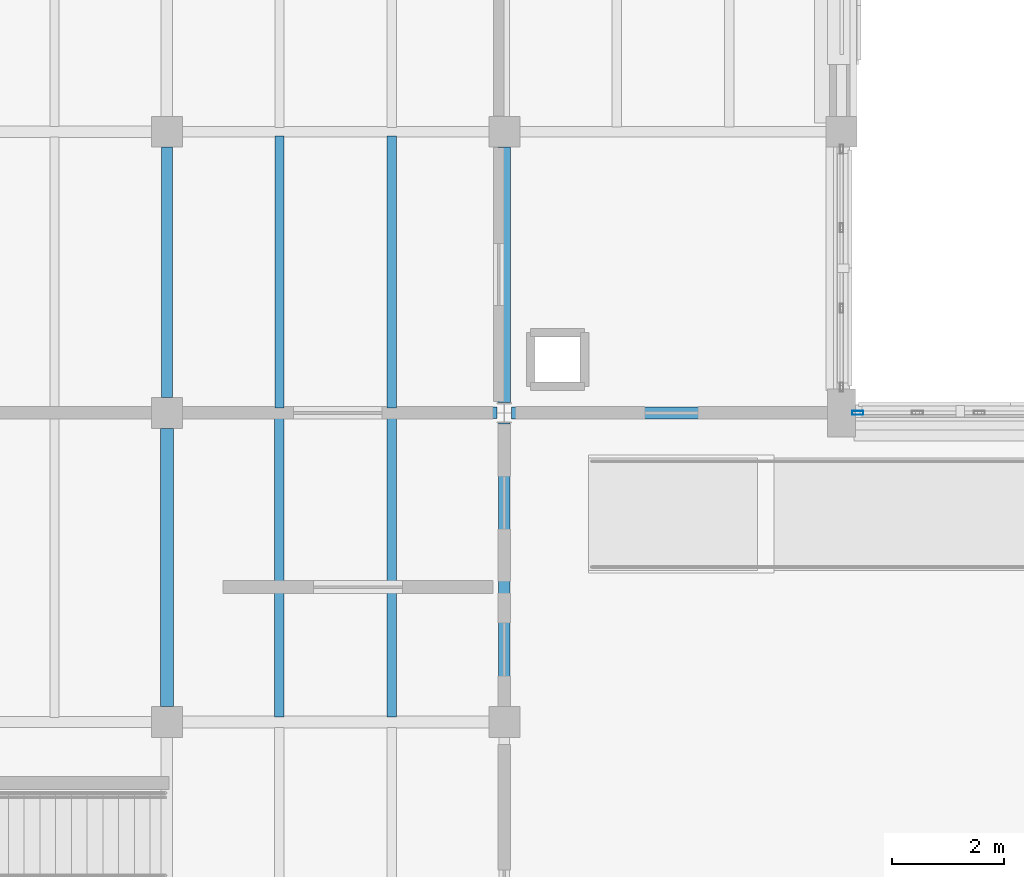
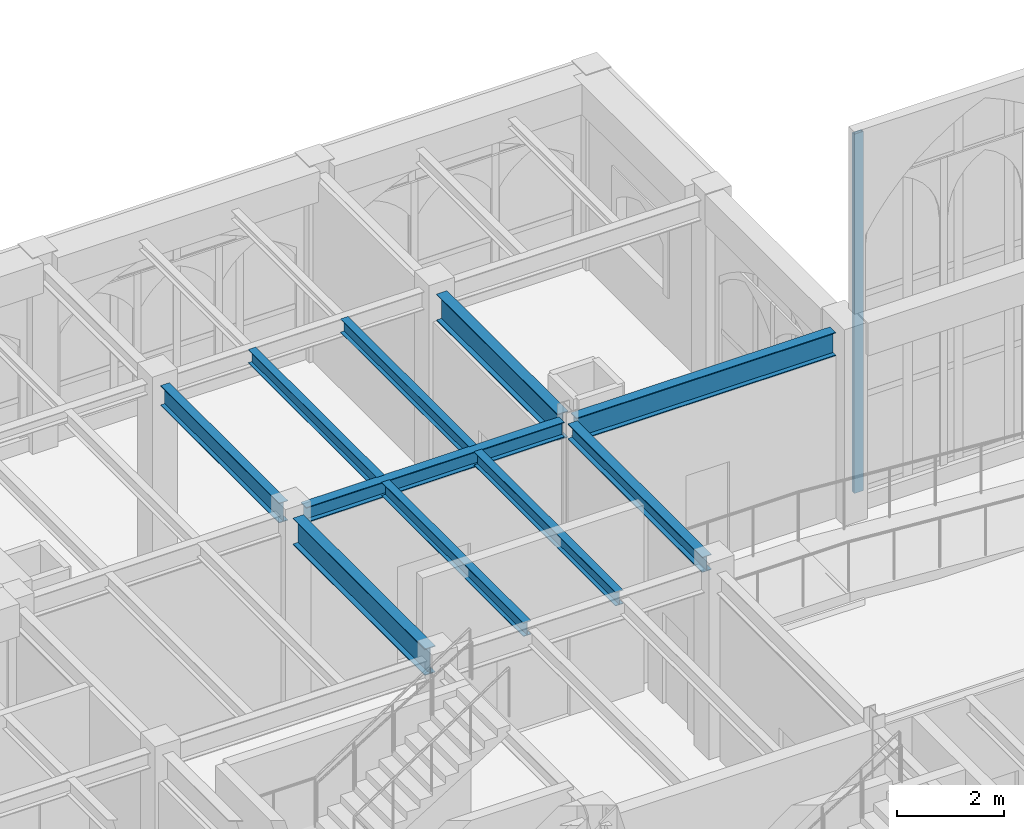
# One storey, part 29 of 108: 10 beams, 1 member, 1 element without a shape of its own.
"""IFC4 building model written with IfcOpenShell, lengths in metres."""

import ifcopenshell
import ifcopenshell.guid

model = None  # the IFC model being written
_history = None  # IfcOwnerHistory: only IFC2X3 demands one
_inside = {}  # id of a spatial element -> (the spatial element, [elements in it])
_under = {}  # id of a project, library or spatial element -> (it, [spatial elements below it])
_declared = {}  # id of a project -> (the project, [libraries it declares])
_typed = {}  # id of a type object -> (the type object, [elements of that type])
_made_of = {}  # id of a material, layer set ... -> (it, [elements and type objects made of it])


def new_model(schema):
    """Start an empty IFC model of exactly this schema.

    Asked for "IFC4X3", IfcOpenShell would pick the latest addendum, in which some entities
    have other attributes; the version numbers below select the first issue.
    IFC2X3 requires an IfcOwnerHistory on every rooted entity: one is made here for all.
    """
    global model, _history
    if schema == "IFC4X3":
        model = ifcopenshell.file(schema_version=(4, 3, 0, 0))
    else:
        model = ifcopenshell.file(schema=schema)
    _inside.clear()
    _under.clear()
    _declared.clear()
    _typed.clear()
    _made_of.clear()
    _history = None
    if model.schema == "IFC2X3":
        org = make("IfcOrganization", Name="unknown")
        user = make(
            "IfcPersonAndOrganization",
            ThePerson=make("IfcPerson", FamilyName="unknown"),
            TheOrganization=org,
        )
        app = make(
            "IfcApplication",
            ApplicationDeveloper=org,
            Version="unknown",
            ApplicationFullName="unknown",
            ApplicationIdentifier="unknown",
        )
        _history = make(
            "IfcOwnerHistory",
            OwningUser=user,
            OwningApplication=app,
            ChangeAction="ADDED",
            CreationDate=0,
        )
    return model


def make(cls, **values):
    """One entity of the class cls with the attributes given. An attribute that is None is left unset."""
    return model.create_entity(
        cls, **{name: value for name, value in values.items() if value is not None}
    )


def rooted(cls, **values):
    """An entity with a GlobalId (a new one), such as an element, a storey or a relation."""
    return make(cls, GlobalId=ifcopenshell.guid.new(), OwnerHistory=_history, **values)


def si_unit(unit_type, name, prefix=None):
    """IfcSIUnit, for example si_unit("LENGTHUNIT", "METRE", prefix="MILLI")."""
    return make("IfcSIUnit", UnitType=unit_type, Prefix=prefix, Name=name)


def assignment(units):
    """IfcUnitAssignment: the units of a project."""
    return None if units is None else make("IfcUnitAssignment", Units=units)


def point(xyz):
    """IfcCartesianPoint."""
    return None if xyz is None else make("IfcCartesianPoint", Coordinates=xyz)


def direction(xyz):
    """IfcDirection."""
    return None if xyz is None else make("IfcDirection", DirectionRatios=xyz)


def frame(location, z_axis=None, x_axis=None):
    """IfcAxis2Placement3D, a coordinate frame: its origin and axes. An axis left out is left unset."""
    return make(
        "IfcAxis2Placement3D",
        Location=point(location),
        Axis=direction(z_axis),
        RefDirection=direction(x_axis),
    )


def frame_2d(location, x_axis=None):
    """IfcAxis2Placement2D, a coordinate frame in the plane: its origin and x axis."""
    return make(
        "IfcAxis2Placement2D", Location=point(location), RefDirection=direction(x_axis)
    )


def origin():
    """The frame at (0, 0, 0) with its axes left unset."""
    return frame((0.0, 0.0, 0.0))


def origin_2d():
    """The frame at (0, 0) in the plane with its x axis left unset."""
    return frame_2d((0.0, 0.0))


def place(relative_to, where):
    """IfcLocalPlacement: puts the frame where relative to a parent placement (None: the world)."""
    return make(
        "IfcLocalPlacement", PlacementRelTo=relative_to, RelativePlacement=where
    )


def context(
    kind, dimensions, precision=None, world=None, true_north=None, identifier=None
):
    """IfcGeometricRepresentationContext, for example the 3D "Model" context."""
    return make(
        "IfcGeometricRepresentationContext",
        ContextIdentifier=identifier,
        ContextType=kind,
        CoordinateSpaceDimension=dimensions,
        Precision=precision,
        WorldCoordinateSystem=world,
        TrueNorth=true_north,
    )


def subcontext(parent, identifier, kind, view, scale=None):
    """IfcGeometricRepresentationSubContext, for example "Body" below "Model"."""
    return make(
        "IfcGeometricRepresentationSubContext",
        ContextIdentifier=identifier,
        ContextType=kind,
        ParentContext=parent,
        TargetScale=scale,
        TargetView=view,
    )


def project(units=None, contexts=None):
    """IfcProject with its units and contexts."""
    return rooted(
        "IfcProject",
        Name="project",
        RepresentationContexts=contexts,
        UnitsInContext=assignment(units),
    )


def spatial(cls, under=None, at=None, **own):
    """A site, building, storey or space (cls), placed at a placement, below another one or the project."""
    s = rooted(cls, ObjectPlacement=at, **own)
    if under is not None:
        _under.setdefault(under.id(), (under, []))[1].append(s)
    return s


def profile(cls, at=None, kind="AREA", **sizes):
    """A parametric profile (cls). Its sizes go by their IFC names, for example OverallWidth=200.0."""
    return make(cls, ProfileType=kind, Position=at, **sizes)


def hollow_rectangle(**sizes):
    """IfcRectangleHollowProfileDef."""
    return profile("IfcRectangleHollowProfileDef", **sizes)


def i_section(**sizes):
    """IfcIShapeProfileDef."""
    return profile("IfcIShapeProfileDef", **sizes)


def extrude(swept, where, along, depth):
    """IfcExtrudedAreaSolid: the profile swept, set in the frame where, extruded along a direction by depth."""
    return make(
        "IfcExtrudedAreaSolid",
        SweptArea=swept,
        Position=where,
        ExtrudedDirection=direction(along),
        Depth=depth,
    )


def shape(context_of_items, identifier, shape_type, items):
    """IfcShapeRepresentation: the items that make up one representation, for example the "Body"."""
    return make(
        "IfcShapeRepresentation",
        ContextOfItems=context_of_items,
        RepresentationIdentifier=identifier,
        RepresentationType=shape_type,
        Items=items,
    )


def material(Name=None, Category=None):
    """IfcMaterial."""
    return make("IfcMaterial", Name=Name, Category=Category)


def layer(
    of_material, thickness, ventilated=None, Name=None, Category=None, Priority=None
):
    """IfcMaterialLayer: one layer of a wall or slab, of a material (None: an air gap)."""
    return make(
        "IfcMaterialLayer",
        Material=of_material,
        LayerThickness=thickness,
        IsVentilated=ventilated,
        Name=Name,
        Category=Category,
        Priority=Priority,
    )


def layer_set(layers, Name=None):
    """IfcMaterialLayerSet."""
    return make("IfcMaterialLayerSet", MaterialLayers=layers, LayerSetName=Name)


def material_profile(
    of_material, cross_section, Name=None, Category=None, Priority=None
):
    """IfcMaterialProfile: a cross section and its material."""
    return make(
        "IfcMaterialProfile",
        Name=Name,
        Material=of_material,
        Profile=cross_section,
        Priority=Priority,
        Category=Category,
    )


def profile_set(profiles, Name=None, composite=None):
    """IfcMaterialProfileSet."""
    return make(
        "IfcMaterialProfileSet",
        Name=Name,
        MaterialProfiles=profiles,
        CompositeProfile=composite,
    )


def made_of(thing, what):
    """Note that an element or type object is made of a material, layer set ...; save() writes the relation."""
    if what is not None:
        _made_of.setdefault(what.id(), (what, []))[1].append(thing)
    return thing


def type_object(cls, material=None, **own):
    """A type object (cls), such as IfcWallType, which elements share."""
    return made_of(rooted(cls, **own), material)


def element(
    cls,
    number,
    at=None,
    inside=None,
    cuts=None,
    type_object=None,
    material=None,
    context=None,
    identifier="Body",
    shape_type=None,
    held_by="IfcProductDefinitionShape",
    body=None,
    shapes=None,
    **own,
):
    """One element of the class cls, such as IfcWall. Its Tag is "e" and its number.

    at: its placement. inside: the storey or other place that contains it. cuts: it is an
    opening in that element (IfcRelVoidsElement). A single representation is given by context,
    identifier, shape_type and body (its items); several are given by shapes. held_by: the class
    of the entity that holds the representations. save() writes the other relations.
    """
    e = rooted(cls, Tag="e%d" % number, ObjectPlacement=at, **own)
    if body is not None:
        shapes = [shape(context, identifier, shape_type, body)]
    if shapes is not None:
        e.Representation = make(held_by, Representations=shapes)
    if inside is not None:
        _inside.setdefault(inside.id(), (inside, []))[1].append(e)
    if cuts is not None:
        rooted(
            "IfcRelVoidsElement", RelatingBuildingElement=cuts, RelatedOpeningElement=e
        )
    if type_object is not None:
        _typed.setdefault(type_object.id(), (type_object, []))[1].append(e)
    return made_of(e, material)


def aggregate(whole, parts):
    """IfcRelAggregates: a whole, such as a stair, and the parts it consists of."""
    return rooted("IfcRelAggregates", RelatingObject=whole, RelatedObjects=parts)


def save(model, path):
    """Write the relations noted so far, then the file.

    IfcRelAggregates (storeys below a building ...), IfcRelContainedInSpatialStructure (elements
    in a storey), IfcRelDefinesByType, IfcRelAssociatesMaterial and IfcRelDeclares: one each for
    every whole, place, type object, material and project.
    """
    for whole, parts in _under.values():
        aggregate(whole, parts)
    for where, things in _inside.values():
        rooted(
            "IfcRelContainedInSpatialStructure",
            RelatedElements=things,
            RelatingStructure=where,
        )
    for kind, things in _typed.values():
        rooted("IfcRelDefinesByType", RelatedObjects=things, RelatingType=kind)
    for what, things in _made_of.values():
        rooted("IfcRelAssociatesMaterial", RelatedObjects=things, RelatingMaterial=what)
    for by, libraries in _declared.values():
        rooted("IfcRelDeclares", RelatingContext=by, RelatedDefinitions=libraries)
    model.write(path)


model = new_model("IFC4")

# Units and contexts
model_context = context("Model", 3, precision=1e-05, world=origin(), true_north=direction((0.0, 1.0)))
body_context = subcontext(model_context, "Body", "Model", "MODEL_VIEW")
ifc_project = project(units=[si_unit("LENGTHUNIT", "METRE"), si_unit("AREAUNIT", "SQUARE_METRE"), si_unit("VOLUMEUNIT", "CUBIC_METRE"), si_unit("PLANEANGLEUNIT", "RADIAN"), si_unit("MASSUNIT", "GRAM", prefix="KILO")], contexts=[model_context])

# Site, building, storey
site_placement = place(None, origin())
site = spatial("IfcSite", under=ifc_project, at=site_placement, CompositionType="ELEMENT")
building_placement = place(site_placement, origin())
building = spatial("IfcBuilding", under=site, at=building_placement, Name="Cumevento Cable Car Station", CompositionType="ELEMENT")
storey_placement = place(building_placement, frame((0.0, 0.0, 13.5)))
storey = spatial("IfcBuildingStorey", under=building, at=storey_placement, Name="L04", CompositionType="ELEMENT", Elevation=13.5)

# Curtain wall, member
ifc_material_1 = material(Name="Anodised Bronze Aluminium AW-6063-T6", Category="aluminium")
ifc_layer = layer(ifc_material_1, 0.18408203125)
ifc_layer_set = layer_set([ifc_layer], Name="Anodised Bronze Aluminium AW-6063-T6")
curtain_wall_type = type_object("IfcCurtainWallType", Name="Lancet Curtain Wall CW-05 1210", PredefinedType="NOTDEFINED", material=ifc_layer_set)
curtain_wall_placement = place(storey_placement, origin())
curtain_wall = element("IfcCurtainWall", 1, at=curtain_wall_placement, inside=storey, type_object=curtain_wall_type, Name="Lancet Curtain Wall CW-05 L04 #164", PredefinedType="NOTDEFINED")
ifc_material_2 = material(Name="Anodised Bronze Aluminium AW-6063-T6", Category="aluminium")
ifc_material_profile_1 = material_profile(ifc_material_2, hollow_rectangle(XDim=0.074951171875, YDim=0.199951171875, WallThickness=0.0048828125, at=origin_2d()), Name="ALUM75x200x5")
ifc_profile_set_1 = profile_set([ifc_material_profile_1], Name="Anodised Bronze Aluminium AW-6063-T6")
member_type = type_object("IfcMemberType", Name="Curtain Mullion CWM-02 ALUM75x200x5", PredefinedType="MULLION", material=ifc_profile_set_1)
member_placement = place(storey_placement, frame((70.28759765625, 56.5, 0.360107421875), z_axis=(0.0, 0.0, 1.0), x_axis=(0.0, 1.0, 0.0)))
member = element("IfcMember", 2, at=member_placement, type_object=member_type, Name="CW-05 mullion 1", PredefinedType="MULLION", context=body_context, shape_type="SweptSolid", body=[
    extrude(hollow_rectangle(XDim=0.074951171875, YDim=0.199951171875, WallThickness=0.0048828125, at=origin_2d()), origin(), (0.0, 0.0, 1.0), 8.23291015625),
])
aggregate(curtain_wall, [member])

# Beams
ifc_material_3 = material(Name="Steel ASTM A572 Grade 50", Category="steel")
ifc_material_profile_2 = material_profile(ifc_material_3, i_section(OverallWidth=0.22802734375, OverallDepth=0.60791015625, WebThickness=0.01123046875, FlangeThickness=0.017333984375, at=origin_2d()), Name="W610x113.0")
ifc_profile_set_2 = profile_set([ifc_material_profile_2], Name="Steel ASTM A572 Grade 50")
beam_type_1 = type_object("IfcBeamType", Name="Structural Beam BM-02 W610x113.0", PredefinedType="BEAM", material=ifc_profile_set_2)
beam_1_placement = place(storey_placement, frame((58.0, 51.27490234375, 3.946044921875), z_axis=(0.0, 1.0, 0.0), x_axis=(-1.0, 0.0, 0.0)))
element("IfcBeam", 3, at=beam_1_placement, inside=storey, type_object=beam_type_1, Name="Beam BM-02 L04 #1420", PredefinedType="BEAM", context=body_context, shape_type="SweptSolid", body=[
    extrude(i_section(OverallWidth=0.22802734375, OverallDepth=0.60791015625, WebThickness=0.01123046875, FlangeThickness=0.017333984375, at=origin_2d()), origin(), (0.0, 0.0, 1.0), 4.9501953125),
])
beam_2_placement = place(storey_placement, frame((64.0, 56.681396484375, 3.946044921875), z_axis=(0.0, 1.0, 0.0), x_axis=(-1.0, 0.0, 0.0)))
element("IfcBeam", 4, at=beam_2_placement, inside=storey, type_object=beam_type_1, Name="Beam BM-02 L04 #1447", PredefinedType="BEAM", context=body_context, shape_type="SweptSolid", body=[
    extrude(i_section(OverallWidth=0.22802734375, OverallDepth=0.60791015625, WebThickness=0.01123046875, FlangeThickness=0.017333984375, at=origin_2d()), origin(), (0.0, 0.0, 1.0), 4.543701171875),
])
ifc_material_4 = material(Name="Steel ASTM A572 Grade 50", Category="steel")
ifc_material_profile_3 = material_profile(ifc_material_4, i_section(OverallWidth=0.18994140625, OverallDepth=0.45703125, WebThickness=0.009033203125, FlangeThickness=0.014404296875, at=origin_2d()), Name="W460x74.0")
ifc_profile_set_3 = profile_set([ifc_material_profile_3], Name="Steel ASTM A572 Grade 50")
beam_type_2 = type_object("IfcBeamType", Name="Structural Beam BM-04 W460x74.0", PredefinedType="BEAM", material=ifc_profile_set_3)
beam_3_placement = place(storey_placement, frame((58.0, 56.77490234375, 4.021484375), z_axis=(0.0, 1.0, 0.0), x_axis=(-1.0, 0.0, 0.0)))
element("IfcBeam", 5, at=beam_3_placement, inside=storey, type_object=beam_type_2, Name="Beam BM-04 L04 #1445", PredefinedType="BEAM", context=body_context, shape_type="SweptSolid", body=[
    extrude(i_section(OverallWidth=0.18994140625, OverallDepth=0.45703125, WebThickness=0.009033203125, FlangeThickness=0.014404296875, at=origin_2d()), origin(), (0.0, 0.0, 1.0), 4.4501953125),
])
ifc_material_5 = material(Name="Steel ASTM A572 Grade 50", Category="steel")
ifc_material_profile_4 = material_profile(ifc_material_5, i_section(OverallWidth=0.205078125, OverallDepth=0.35400390625, WebThickness=0.009521484375, FlangeThickness=0.016845703125, at=origin_2d()), Name="W360x79.0")
ifc_profile_set_4 = profile_set([ifc_material_profile_4], Name="Steel ASTM A572 Grade 50")
beam_type_3 = type_object("IfcBeamType", Name="Structural Beam BM-05 W360x79.0", PredefinedType="BEAM", material=ifc_profile_set_4)
beam_4_placement = place(storey_placement, frame((58.27490234375, 56.5, 4.072998046875), z_axis=(1.0, 0.0, 0.0), x_axis=(0.0, 1.0, 0.0)))
element("IfcBeam", 6, at=beam_4_placement, inside=storey, type_object=beam_type_3, Name="Beam BM-05 L04 #1418", PredefinedType="BEAM", context=body_context, shape_type="SweptSolid", body=[
    extrude(i_section(OverallWidth=0.205078125, OverallDepth=0.35400390625, WebThickness=0.009521484375, FlangeThickness=0.016845703125, at=origin_2d()), origin(), (0.0, 0.0, 1.0), 5.5966796875),
])
beam_5_placement = place(storey_placement, frame((64.0, 51.27490234375, 4.072998046875), z_axis=(0.0, 1.0, 0.0), x_axis=(-1.0, 0.0, 0.0)))
element("IfcBeam", 7, at=beam_5_placement, inside=storey, type_object=beam_type_3, Name="Beam BM-05 L04 #1422", PredefinedType="BEAM", context=body_context, shape_type="SweptSolid", body=[
    extrude(i_section(OverallWidth=0.205078125, OverallDepth=0.35400390625, WebThickness=0.009521484375, FlangeThickness=0.016845703125, at=origin_2d()), origin(), (0.0, 0.0, 1.0), 5.043701171875),
])
ifc_material_6 = material(Name="Steel ASTM A572 Grade 50", Category="steel")
ifc_material_profile_5 = material_profile(ifc_material_6, i_section(OverallWidth=0.2109375, OverallDepth=0.5390625, WebThickness=0.01171875, FlangeThickness=0.018798828125, at=origin_2d()), Name="W530x109.0")
ifc_profile_set_5 = profile_set([ifc_material_profile_5], Name="Steel ASTM A572 Grade 50")
beam_type_4 = type_object("IfcBeamType", Name="Structural Beam BM-11 W530x109.0", PredefinedType="BEAM", material=ifc_profile_set_5)
beam_6_placement = place(storey_placement, frame((64.12841796875, 56.5, 3.98046875), z_axis=(1.0, 0.0, 0.0), x_axis=(0.0, 1.0, 0.0)))
element("IfcBeam", 8, at=beam_6_placement, inside=storey, type_object=beam_type_4, Name="Beam BM-11 L04 #1424", PredefinedType="BEAM", context=body_context, shape_type="SweptSolid", body=[
    extrude(i_section(OverallWidth=0.2109375, OverallDepth=0.5390625, WebThickness=0.01171875, FlangeThickness=0.018798828125, at=origin_2d()), origin(), (0.0, 0.0, 1.0), 5.62158203125),
])
ifc_material_7 = material(Name="Steel ASTM A572 Grade 50", Category="steel")
ifc_material_profile_6 = material_profile(ifc_material_7, i_section(OverallWidth=0.1669921875, OverallDepth=0.31689453125, WebThickness=0.007568359375, FlangeThickness=0.01318359375, at=origin_2d()), Name="W310x52.0")
ifc_profile_set_6 = profile_set([ifc_material_profile_6], Name="Steel ASTM A572 Grade 50")
beam_type_5 = type_object("IfcBeamType", Name="Structural Joist JS-02 W310x52.0", PredefinedType="JOIST", material=ifc_profile_set_6)
for number, where, z_axis, x_axis, name in (
    (9, (60.0, 51.093505859375, 4.091552734375), (0.0, 1.0, 0.0), (-1.0, 0.0, 0.0), "Composite Floor Joist JS-02 L04 #1542"),
    (10, (62.0, 51.093505859375, 4.091552734375), (0.0, 1.0, 0.0), (-1.0, 0.0, 0.0), "Composite Floor Joist JS-02 L04 #1544"),
):
    element("IfcBeam", number, at=place(storey_placement, frame(where, z_axis=z_axis, x_axis=x_axis)), inside=storey, type_object=beam_type_5, Name=name, PredefinedType="JOIST", context=body_context, shape_type="SweptSolid", body=[
        extrude(i_section(OverallWidth=0.1669921875, OverallDepth=0.31689453125, WebThickness=0.007568359375, FlangeThickness=0.01318359375, at=origin_2d()), origin(), (0.0, 0.0, 1.0), 5.31591796875),
    ])
ifc_material_8 = material(Name="Steel ASTM A572 Grade 50", Category="steel")
ifc_material_profile_7 = material_profile(ifc_material_8, i_section(OverallWidth=0.1650390625, OverallDepth=0.31005859375, WebThickness=0.005859375, FlangeThickness=0.009765625, at=origin_2d()), Name="W310x38.7")
ifc_profile_set_7 = profile_set([ifc_material_profile_7], Name="Steel ASTM A572 Grade 50")
beam_type_6 = type_object("IfcBeamType", Name="Structural Joist JS-03 W310x38.7", PredefinedType="JOIST", material=ifc_profile_set_7)
for number, where, z_axis, x_axis, name in (
    (11, (60.0, 56.590576171875, 4.094970703125), (0.0, 1.0, 0.0), (-1.0, 0.0, 0.0), "Composite Floor Joist JS-03 L04 #1549"),
    (12, (62.0, 56.590576171875, 4.094970703125), (0.0, 1.0, 0.0), (-1.0, 0.0, 0.0), "Composite Floor Joist JS-03 L04 #1551"),
):
    element("IfcBeam", number, at=place(storey_placement, frame(where, z_axis=z_axis, x_axis=x_axis)), inside=storey, type_object=beam_type_6, Name=name, PredefinedType="JOIST", context=body_context, shape_type="SweptSolid", body=[
        extrude(i_section(OverallWidth=0.1650390625, OverallDepth=0.31005859375, WebThickness=0.005859375, FlangeThickness=0.009765625, at=origin_2d()), origin(), (0.0, 0.0, 1.0), 4.83154296875),
    ])

save(model, "model.ifc")
